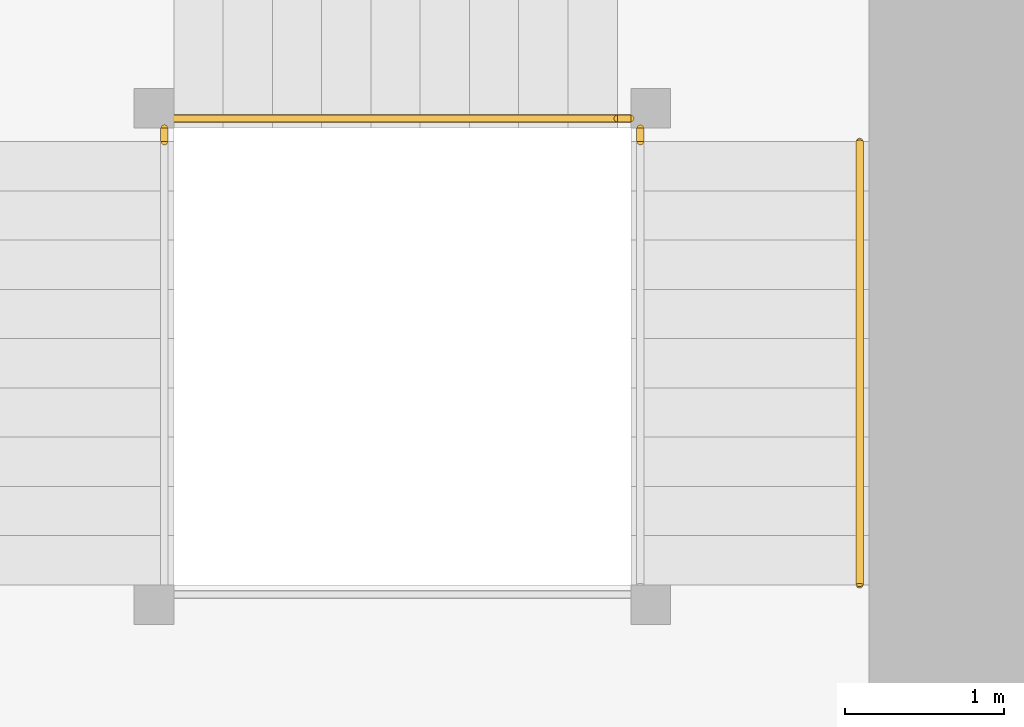
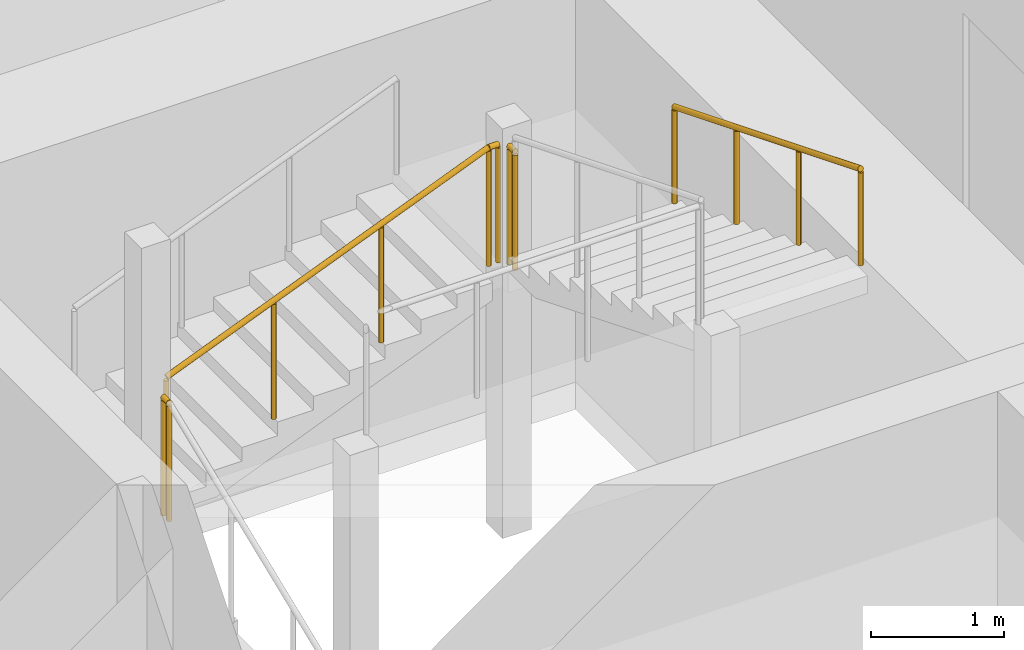
# One storey, part 38 of 39: 5 railings.
"""IFC4 building model written with IfcOpenShell, lengths in metres."""

from ifc_helpers import new_model, si_unit, direction, frame, origin, origin_2d, place, context, subcontext, project, spatial, circle, extrude, material, type_object, element, save


model = new_model("IFC4")

# Units and contexts
model_context = context("Model", 3, precision=1e-05, world=origin(), true_north=direction((0.0, 1.0)))
body_context = subcontext(model_context, "Body", "Model", "MODEL_VIEW")
ifc_project = project(units=[si_unit("LENGTHUNIT", "METRE"), si_unit("AREAUNIT", "SQUARE_METRE"), si_unit("VOLUMEUNIT", "CUBIC_METRE"), si_unit("PLANEANGLEUNIT", "RADIAN"), si_unit("MASSUNIT", "GRAM", prefix="KILO")], contexts=[model_context])

# Site, building, storey
site_placement = place(None, origin())
site = spatial("IfcSite", under=ifc_project, at=site_placement, CompositionType="ELEMENT")
building_placement = place(site_placement, origin())
building = spatial("IfcBuilding", under=site, at=building_placement, Name="Rekha Terrace Tower", CompositionType="ELEMENT")
storey_placement = place(building_placement, frame((0.0, 0.0, 155.300048828125)))
storey = spatial("IfcBuildingStorey", under=building, at=storey_placement, Name="L39", CompositionType="ELEMENT", Elevation=155.300048828125)

# Railings
ifc_material_1 = material(Name="Stainless steel balustrade", Category="steel")
railing_type_1 = type_object("IfcRailingType", Name="GR1 1100 stair guard", PredefinedType="GUARDRAIL", material=ifc_material_1)
railing_1_placement = place(storey_placement, frame((45.52490234375, 44.260009765625, 1.375)))
element("IfcRailing", 1, at=railing_1_placement, inside=storey, type_object=railing_type_1, Name="Guard ST2 L39 flight 2", PredefinedType="GUARDRAIL", context=body_context, shape_type="SweptSolid", body=[
    extrude(circle(Radius=0.02392578125, at=origin_2d()), frame((0.0, 0.0, 1.076171875), z_axis=(0.927443287984, 0.0, 0.373963831907), x_axis=(0.0, 1.0, 0.0)), (0.0, 0.0, 1.0), 3.00830078125),
    extrude(circle(Radius=0.02099609375, at=origin_2d()), origin(), (0.0, 0.0, 1.0), 1.052001953125),
    extrude(circle(Radius=0.02099609375, at=origin_2d()), frame((0.929931640625, 0.0, 0.375)), (0.0, 0.0, 1.0), 1.052001953125),
    extrude(circle(Radius=0.02099609375, at=origin_2d()), frame((1.860107421875, 0.0, 0.75)), (0.0, 0.0, 1.0), 1.052001953125),
    extrude(circle(Radius=0.02099609375, at=origin_2d()), frame((2.7900390625, 0.0, 1.125)), (0.0, 0.0, 1.0), 1.052001953125),
])
railing_2_placement = place(storey_placement, frame((45.465087890625, 44.114990234375, 1.25)))
element("IfcRailing", 2, at=railing_2_placement, inside=storey, type_object=railing_type_1, Name="Guard ST2 L39 landing 1", PredefinedType="GUARDRAIL", context=body_context, shape_type="SweptSolid", body=[
    extrude(circle(Radius=0.02392578125, at=origin_2d()), frame((0.0, 0.0, 1.076171875), z_axis=(0.0, 1.0, 0.0), x_axis=(-1.0, 0.0, 0.0)), (0.0, 0.0, 1.0), 0.0849609375),
    extrude(circle(Radius=0.02099609375, at=origin_2d()), origin(), (0.0, 0.0, 1.0), 1.052001953125),
    extrude(circle(Radius=0.02099609375, at=origin_2d()), frame((0.0, 0.0849609375, 0.0)), (0.0, 0.0, 1.0), 1.052001953125),
])
railing_3_placement = place(storey_placement, frame((48.31494140625, 44.260009765625, 2.5)))
element("IfcRailing", 3, at=railing_3_placement, inside=storey, type_object=railing_type_1, Name="Guard ST2 L39 landing 2", PredefinedType="GUARDRAIL", context=body_context, shape_type="SweptSolid", body=[
    extrude(circle(Radius=0.02392578125, at=origin_2d()), frame((0.0, 0.0, 1.076171875), z_axis=(1.0, 0.0, 0.0), x_axis=(0.0, 1.0, 0.0)), (0.0, 0.0, 1.0), 0.0849609375),
    extrude(circle(Radius=0.02099609375, at=origin_2d()), origin(), (0.0, 0.0, 1.0), 1.052001953125),
    extrude(circle(Radius=0.02099609375, at=origin_2d()), frame((0.0849609375, 0.0, 0.0)), (0.0, 0.0, 1.0), 1.052001953125),
])
railing_4_placement = place(storey_placement, frame((48.4599609375, 44.114990234375, 2.5)))
element("IfcRailing", 4, at=railing_4_placement, inside=storey, type_object=railing_type_1, Name="Guard ST2 L39 landing 3", PredefinedType="GUARDRAIL", context=body_context, shape_type="SweptSolid", body=[
    extrude(circle(Radius=0.02392578125, at=origin_2d()), frame((0.0, 0.0, 1.076171875), z_axis=(0.0, 1.0, 0.0), x_axis=(-1.0, 0.0, 0.0)), (0.0, 0.0, 1.0), 0.0849609375),
    extrude(circle(Radius=0.02099609375, at=origin_2d()), origin(), (0.0, 0.0, 1.0), 1.052001953125),
    extrude(circle(Radius=0.02099609375, at=origin_2d()), frame((0.0, 0.0849609375, 0.0)), (0.0, 0.0, 1.0), 1.052001953125),
])
ifc_material_2 = material(Name="Stainless steel tube", Category="steel")
railing_type_2 = type_object("IfcRailingType", Name="HR1 900 stair handrail", PredefinedType="HANDRAIL", material=ifc_material_2)
railing_5_placement = place(storey_placement, frame((49.840087890625, 44.114990234375, 2.625)))
element("IfcRailing", 5, at=railing_5_placement, inside=storey, type_object=railing_type_2, Name="Handrail ST2 L39 flight 3", PredefinedType="HANDRAIL", context=body_context, shape_type="SweptSolid", body=[
    extrude(circle(Radius=0.02392578125, at=origin_2d()), frame((0.0, 0.0, 0.8759765625), z_axis=(0.0, -0.927443287984, 0.373963831907), x_axis=(1.0, 0.0, 0.0)), (0.0, 0.0, 1.0), 3.00830078125),
    extrude(circle(Radius=0.02099609375, at=origin_2d()), origin(), (0.0, 0.0, 1.0), 0.851806640625),
    extrude(circle(Radius=0.02099609375, at=origin_2d()), frame((0.0, -0.929931640625, 0.375)), (0.0, 0.0, 1.0), 0.851806640625),
    extrude(circle(Radius=0.02099609375, at=origin_2d()), frame((0.0, -1.860107421875, 0.75)), (0.0, 0.0, 1.0), 0.851806640625),
    extrude(circle(Radius=0.02099609375, at=origin_2d()), frame((0.0, -2.7900390625, 1.125)), (0.0, 0.0, 1.0), 0.851806640625),
])

save(model, "model.ifc")
